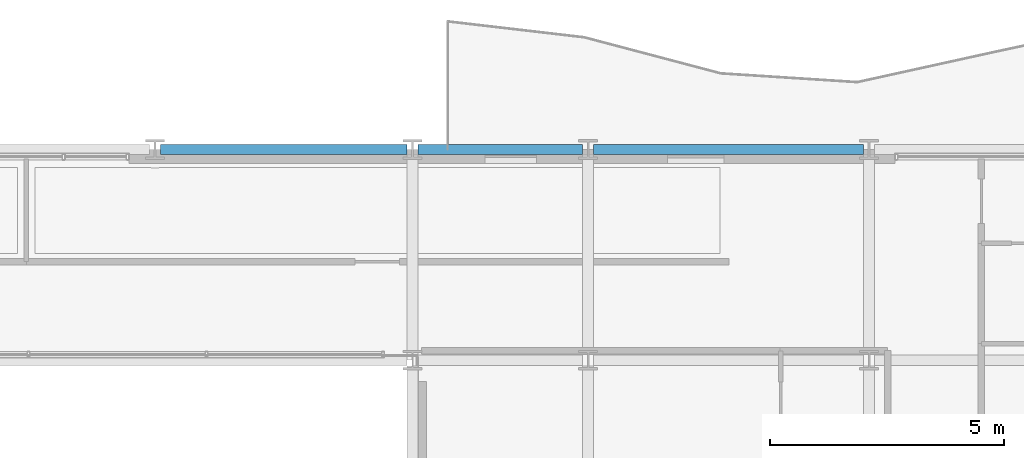
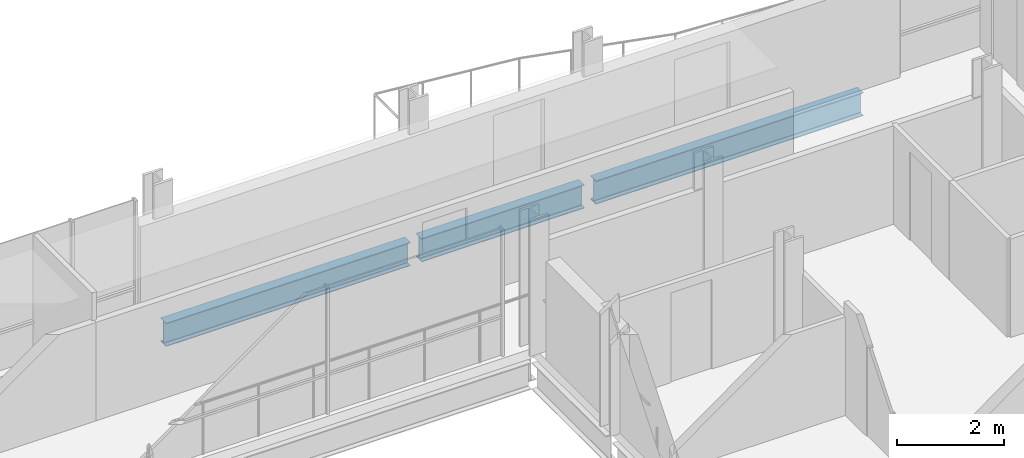
# One storey, part 23 of 41: 3 beams.
"""IFC4 building model written with IfcOpenShell, lengths in metres."""

from ifc_helpers import new_model, si_unit, direction, frame, origin, origin_2d, place, context, subcontext, project, spatial, i_section, extrude, material, material_profile, profile_set, type_object, element, save


model = new_model("IFC4")

# Units and contexts
model_context = context("Model", 3, precision=1e-05, world=origin(), true_north=direction((0.0, 1.0)))
body_context = subcontext(model_context, "Body", "Model", "MODEL_VIEW")
ifc_project = project(units=[si_unit("LENGTHUNIT", "METRE"), si_unit("AREAUNIT", "SQUARE_METRE"), si_unit("VOLUMEUNIT", "CUBIC_METRE"), si_unit("PLANEANGLEUNIT", "RADIAN"), si_unit("MASSUNIT", "GRAM", prefix="KILO")], contexts=[model_context])

# Site, building, storey
site_placement = place(None, origin())
site = spatial("IfcSite", under=ifc_project, at=site_placement, CompositionType="ELEMENT")
building_placement = place(site_placement, origin())
building = spatial("IfcBuilding", under=site, at=building_placement, Name="Brevholm Reach", CompositionType="ELEMENT")
storey_placement = place(building_placement, frame((0.0, 0.0, 100.39990234375)))
storey = spatial("IfcBuildingStorey", under=building, at=storey_placement, Name="L29", CompositionType="ELEMENT", Elevation=100.39990234375)

# Beams
ifc_material = material(Name="Structural Steel S355J2", Category="steel")
ifc_material_profile = material_profile(ifc_material, i_section(OverallWidth=0.209228515625, OverallDepth=0.533203125, WebThickness=0.010009765625, FlangeThickness=0.015625, FilletRadius=0.0126953125, at=origin_2d()), Name="UKB 533x210x92")
ifc_profile_set = profile_set([ifc_material_profile], Name="Structural Steel S355J2")
beam_type = type_object("IfcBeamType", Name="BM-SP533", PredefinedType="SPANDREL", material=ifc_profile_set)
beam_1_placement = place(storey_placement, frame((32.8701171875, 31.0, -0.486572265625), z_axis=(1.0, 0.0, 0.0), x_axis=(0.0, 1.0, 0.0)))
element("IfcBeam", 1, at=beam_1_placement, inside=storey, type_object=beam_type, Name="L29 SP-02 Framing Beam", PredefinedType="SPANDREL", context=body_context, shape_type="SweptSolid", body=[
    extrude(i_section(OverallWidth=0.209228515625, OverallDepth=0.533203125, WebThickness=0.010009765625, FlangeThickness=0.015625, FilletRadius=0.0126953125, at=origin_2d()), origin(), (0.0, 0.0, 1.0), 5.259765625),
])
beam_2_placement = place(storey_placement, frame((38.3701171875, 31.0, -0.486572265625), z_axis=(1.0, 0.0, 0.0), x_axis=(0.0, 1.0, 0.0)))
element("IfcBeam", 2, at=beam_2_placement, inside=storey, type_object=beam_type, Name="L29 SP-02 Framing Beam", PredefinedType="SPANDREL", context=body_context, shape_type="SweptSolid", body=[
    extrude(i_section(OverallWidth=0.209228515625, OverallDepth=0.533203125, WebThickness=0.010009765625, FlangeThickness=0.015625, FilletRadius=0.0126953125, at=origin_2d()), origin(), (0.0, 0.0, 1.0), 3.509765625),
])
beam_3_placement = place(storey_placement, frame((42.1201171875, 31.0, -0.486572265625), z_axis=(1.0, 0.0, 0.0), x_axis=(0.0, 1.0, 0.0)))
element("IfcBeam", 3, at=beam_3_placement, inside=storey, type_object=beam_type, Name="L29 SP-02 Framing Beam", PredefinedType="SPANDREL", context=body_context, shape_type="SweptSolid", body=[
    extrude(i_section(OverallWidth=0.209228515625, OverallDepth=0.533203125, WebThickness=0.010009765625, FlangeThickness=0.015625, FilletRadius=0.0126953125, at=origin_2d()), origin(), (0.0, 0.0, 1.0), 5.759765625),
])

save(model, "model.ifc")
